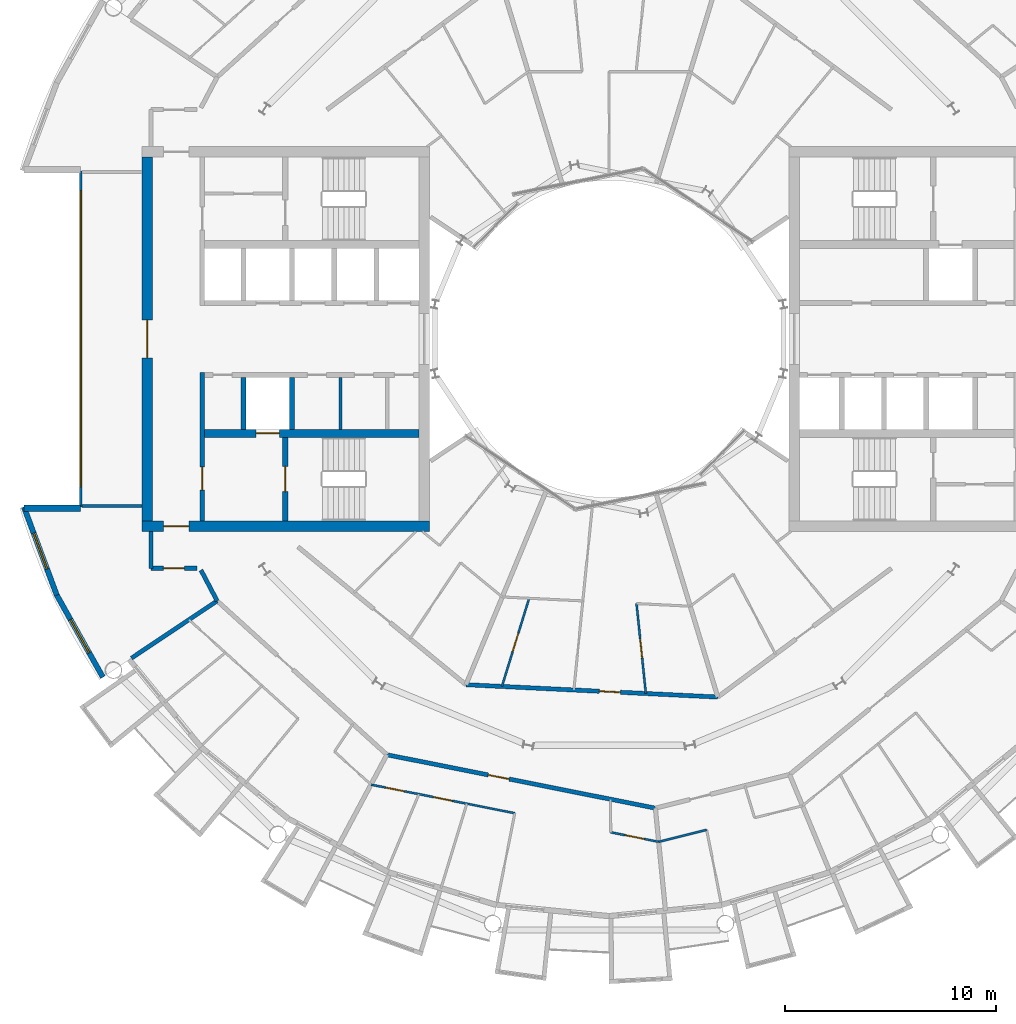
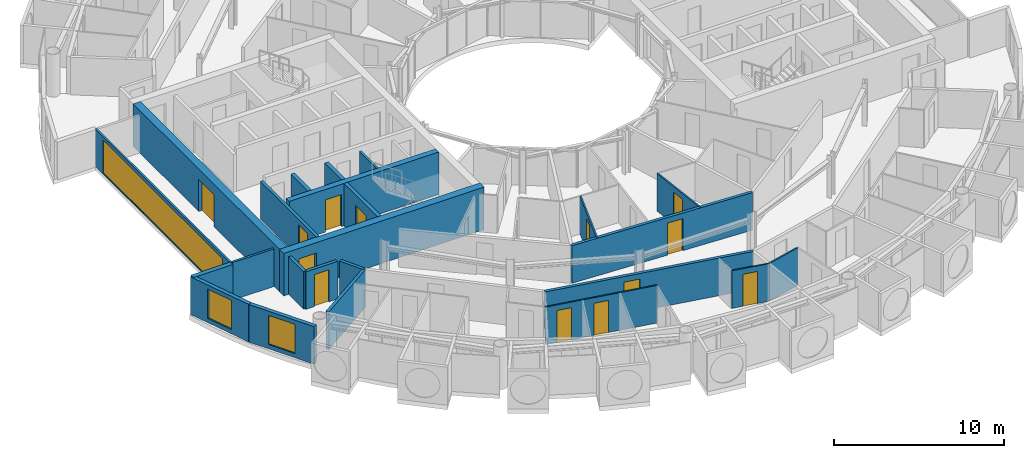
# One storey, part 15 of 27: 24 walls, 13 doors, 3 windows, 16 openings.
"""IFC4 building model written with IfcOpenShell, lengths in metres."""

from ifc_helpers import new_model, si_unit, direction, frame, frame_2d, origin, place, context, subcontext, project, spatial, rectangle, extrude, material, layer, layer_set, type_object, element, fill, save


model = new_model("IFC4")

# Units and contexts
model_context = context("Model", 3, precision=1e-05, world=origin(), true_north=direction((0.0, 1.0)))
body_context = subcontext(model_context, "Body", "Model", "MODEL_VIEW")
ifc_project = project(units=[si_unit("LENGTHUNIT", "METRE"), si_unit("AREAUNIT", "SQUARE_METRE"), si_unit("VOLUMEUNIT", "CUBIC_METRE"), si_unit("PLANEANGLEUNIT", "RADIAN"), si_unit("MASSUNIT", "GRAM", prefix="KILO")], contexts=[model_context])

# Site, building, storey
site_placement = place(None, origin())
site = spatial("IfcSite", under=ifc_project, at=site_placement, CompositionType="ELEMENT")
building_placement = place(site_placement, origin())
building = spatial("IfcBuilding", under=site, at=building_placement, Name="Maasbend Ring Residences", CompositionType="ELEMENT")
storey_placement = place(building_placement, frame((0.0, 0.0, 151.300048828125)))
storey = spatial("IfcBuildingStorey", under=building, at=storey_placement, Name="L43", CompositionType="ELEMENT", Elevation=151.300048828125)

# Wall, opening, door
ifc_material_1 = material(Name="Concrete C60/75", Category="concrete")
ifc_layer_1 = layer(ifc_material_1, 0.25)
ifc_layer_set_1 = layer_set([ifc_layer_1], Name="Concrete C60/75")
wall_type_1 = type_object("IfcWallType", Name="CORE WALL 250 C60/75", PredefinedType="SHEAR", material=ifc_layer_set_1)
wall_1_placement = place(storey_placement, frame((-15.324951171875, -4.64990234375, 0.0), z_axis=(0.0, 0.0, 1.0), x_axis=(0.0, -1.0, 0.0)))
wall_1 = element("IfcWall", 1, at=wall_1_placement, inside=storey, type_object=wall_type_1, Name="L43 core W wall STEN", PredefinedType="SHEAR", context=body_context, shape_type="SweptSolid", body=[
    extrude(rectangle(XDim=3.9501953125, YDim=0.25, at=frame_2d((1.97509765625, 0.0))), origin(), (0.0, 0.0, 1.0), 3.050048828125),
])
opening_1_placement = place(wall_1_placement, frame((1.375, 0.0, 0.0)))
opening_1 = element("IfcOpeningElement", 2, at=opening_1_placement, cuts=wall_1, Name="Opening D-W4311", PredefinedType="OPENING", context=body_context, shape_type="SweptSolid", body=[
    extrude(rectangle(XDim=1.199951171875, YDim=2.300048828125, at=frame_2d((0.60009765625, 1.14990234375))), frame((0.0, 0.135009765625, 0.0), z_axis=(0.0, -1.0, 0.0), x_axis=(1.0, 0.0, 0.0)), (0.0, 0.0, 1.0), 0.27001953125),
])
ifc_material_2 = material(Name="Steel, powder coated", Category="steel")
door_type_1 = type_object("IfcDoorType", Name="STAIR DOOR 1200 X 2300 FD60", OperationType="NOTDEFINED", PredefinedType="DOOR", material=ifc_material_2)
door_1_placement = place(opening_1_placement, origin())
door_1 = element("IfcDoor", 3, at=door_1_placement, inside=storey, type_object=door_type_1, Name="Stair door ST-W L43", OperationType="SINGLE_SWING_LEFT", OverallHeight=2.300048828125, OverallWidth=1.199951171875, PredefinedType="DOOR", context=body_context, shape_type="SweptSolid", body=[
    extrude(rectangle(XDim=1.199951171875, YDim=2.300048828125, at=frame_2d((0.60009765625, 1.14990234375))), frame((0.0, 0.02490234375, 0.0), z_axis=(0.0, -1.0, 0.0), x_axis=(1.0, 0.0, 0.0)), (0.0, 0.0, 1.0), 0.050048828125),
])
fill(opening_1, door_1)

ifc_material_3 = material(Name="Concrete C60/75", Category="concrete")
ifc_layer_2 = layer(ifc_material_3, 0.375)
ifc_layer_set_2 = layer_set([ifc_layer_2], Name="Concrete C60/75")
wall_type_2 = type_object("IfcWallType", Name="CORE WALL 375 C60/75", PredefinedType="SHEAR", material=ifc_layer_set_2)
wall_2_placement = place(storey_placement, frame((-9.0, -4.46240234375, 0.0), z_axis=(0.0, 0.0, 1.0), x_axis=(-1.0, 0.0, 0.0)))
wall_2 = element("IfcWall", 4, at=wall_2_placement, inside=storey, type_object=wall_type_2, Name="L43 core W wall BN", PredefinedType="SHEAR", context=body_context, shape_type="SweptSolid", body=[
    extrude(rectangle(XDim=10.14990234375, YDim=0.375, at=frame_2d((5.074951171875, 0.0))), origin(), (0.0, 0.0, 1.0), 3.050048828125),
])
opening_2_placement = place(wall_2_placement, frame((6.60009765625, 0.0, 0.0)))
opening_2 = element("IfcOpeningElement", 5, at=opening_2_placement, cuts=wall_2, Name="Opening LD-W4301", PredefinedType="OPENING", context=body_context, shape_type="SweptSolid", body=[
    extrude(rectangle(XDim=1.10009765625, YDim=2.300048828125, at=frame_2d((0.550048828125, 1.14990234375))), frame((0.0, 0.197509765625, 0.0), z_axis=(0.0, -1.0, 0.0), x_axis=(1.0, 0.0, 0.0)), (0.0, 0.0, 1.0), 0.39501953125),
])
ifc_material_4 = material(Name="Stainless steel 316", Category="steel")
door_type_2 = type_object("IfcDoorType", Name="LANDING DOOR 1100 X 2300 FD60", OperationType="DOUBLE_DOOR_SLIDING", PredefinedType="DOOR", material=ifc_material_4)
door_2_placement = place(opening_2_placement, origin())
door_2 = element("IfcDoor", 6, at=door_2_placement, inside=storey, type_object=door_type_2, Name="Landing door FF-W L43", OperationType="DOUBLE_DOOR_SLIDING", OverallHeight=2.300048828125, OverallWidth=1.10009765625, PredefinedType="DOOR", context=body_context, shape_type="SweptSolid", body=[
    extrude(rectangle(XDim=1.10009765625, YDim=2.300048828125, at=frame_2d((0.550048828125, 1.14990234375))), frame((0.0, 0.02490234375, 0.0), z_axis=(0.0, -1.0, 0.0), x_axis=(1.0, 0.0, 0.0)), (0.0, 0.0, 1.0), 0.050048828125),
])
fill(opening_2, door_2)

ifc_material_5 = material(Name="Concrete C60/75", Category="concrete")
ifc_layer_3 = layer(ifc_material_5, 0.5)
ifc_layer_set_3 = layer_set([ifc_layer_3], Name="Concrete C60/75")
wall_type_3 = type_object("IfcWallType", Name="CORE WALL 500 C60/75", PredefinedType="SHEAR", material=ifc_layer_set_3)
wall_3_placement = place(storey_placement, frame((-22.10009765625, -8.85009765625, 0.0), z_axis=(0.0, 0.0, 1.0), x_axis=(1.0, 0.0, 0.0)))
wall_3 = element("IfcWall", 7, at=wall_3_placement, inside=storey, type_object=wall_type_3, Name="L43 core W wall PN", PredefinedType="SHEAR", context=body_context, shape_type="SweptSolid", body=[
    extrude(rectangle(XDim=13.60009765625, YDim=0.5, at=frame_2d((6.800048828125, 0.0))), origin(), (0.0, 0.0, 1.0), 3.050048828125),
])
opening_3_placement = place(wall_3_placement, frame((1.02490234375, 0.0, 0.0)))
opening_3 = element("IfcOpeningElement", 8, at=opening_3_placement, cuts=wall_3, Name="Opening D-W4315", PredefinedType="OPENING", context=body_context, shape_type="SweptSolid", body=[
    extrude(rectangle(XDim=1.199951171875, YDim=2.300048828125, at=frame_2d((0.60009765625, 1.14990234375))), frame((0.0, 0.260009765625, 0.0), z_axis=(0.0, -1.0, 0.0), x_axis=(1.0, 0.0, 0.0)), (0.0, 0.0, 1.0), 0.52001953125),
])
ifc_material_6 = material(Name="Steel, powder coated", Category="steel")
door_type_3 = type_object("IfcDoorType", Name="CORRIDOR DOOR 1200 X 2300 FD30S", OperationType="NOTDEFINED", PredefinedType="DOOR", material=ifc_material_6)
door_3_placement = place(opening_3_placement, origin())
door_3 = element("IfcDoor", 9, at=door_3_placement, inside=storey, type_object=door_type_3, Name="Corridor door L43", OperationType="SINGLE_SWING_RIGHT", OverallHeight=2.300048828125, OverallWidth=1.199951171875, PredefinedType="DOOR", context=body_context, shape_type="SweptSolid", body=[
    extrude(rectangle(XDim=1.199951171875, YDim=2.300048828125, at=frame_2d((0.60009765625, 1.14990234375))), frame((0.0, 0.02490234375, 0.0), z_axis=(0.0, -1.0, 0.0), x_axis=(1.0, 0.0, 0.0)), (0.0, 0.0, 1.0), 0.050048828125),
])
fill(opening_3, door_3)

wall_4_placement = place(storey_placement, frame((-21.85009765625, -8.60009765625, 0.0), z_axis=(0.0, 0.0, 1.0), x_axis=(0.0, 1.0, 0.0)))
wall_4 = element("IfcWall", 10, at=wall_4_placement, inside=storey, type_object=wall_type_3, Name="L43 core W wall POUT", PredefinedType="SHEAR", context=body_context, shape_type="SweptSolid", body=[
    extrude(rectangle(XDim=17.2001953125, YDim=0.5, at=frame_2d((8.60009765625, 0.0))), origin(), (0.0, 0.0, 1.0), 3.050048828125),
])
opening_4_placement = place(wall_4_placement, frame((7.699951171875, 0.0, 0.0)))
opening_4 = element("IfcOpeningElement", 11, at=opening_4_placement, cuts=wall_4, Name="Opening D-W4317", PredefinedType="OPENING", context=body_context, shape_type="SweptSolid", body=[
    extrude(rectangle(XDim=1.800048828125, YDim=2.300048828125, at=frame_2d((0.89990234375, 1.14990234375))), frame((0.0, 0.260009765625, 0.0), z_axis=(0.0, -1.0, 0.0), x_axis=(1.0, 0.0, 0.0)), (0.0, 0.0, 1.0), 0.52001953125),
])
ifc_material_7 = material(Name="Aluminium frame, clear glass", Category="aluminium")
door_type_4 = type_object("IfcDoorType", Name="ENTRANCE DOOR 1800 X 2300 FD60", OperationType="NOTDEFINED", PredefinedType="DOOR", material=ifc_material_7)
door_4_placement = place(opening_4_placement, origin())
door_4 = element("IfcDoor", 12, at=door_4_placement, inside=storey, type_object=door_type_4, Name="Lobby glazed door L43", OperationType="SINGLE_SWING_LEFT", OverallHeight=2.300048828125, OverallWidth=1.800048828125, PredefinedType="DOOR", context=body_context, shape_type="SweptSolid", body=[
    extrude(rectangle(XDim=1.800048828125, YDim=2.300048828125, at=frame_2d((0.89990234375, 1.14990234375))), frame((0.0, 0.02490234375, 0.0), z_axis=(0.0, -1.0, 0.0), x_axis=(1.0, 0.0, 0.0)), (0.0, 0.0, 1.0), 0.050048828125),
])
fill(opening_4, door_4)

# Wall
ifc_material_8 = material(Name="Concrete C30/37", Category="concrete")
ifc_layer_4 = layer(ifc_material_8, 0.199951171875)
ifc_layer_set_4 = layer_set([ifc_layer_4], Name="Concrete C30/37")
wall_type_4 = type_object("IfcWallType", Name="CORRIDOR WALL 200 CONCRETE", PredefinedType="PARTITIONING", material=ifc_layer_set_4)
wall_5_placement = place(storey_placement, frame((-19.306884765625, -10.93505859375, 0.0), z_axis=(0.0, 0.0, 1.0), x_axis=(0.465605550524, -0.884992356646, 0.0)))
element("IfcWall", 13, at=wall_5_placement, inside=storey, type_object=wall_type_4, Name="U-L43-w009", PredefinedType="PARTITIONING", context=body_context, shape_type="SweptSolid", body=[
    extrude(rectangle(XDim=1.642822265625, YDim=0.199951171875, at=frame_2d((0.8212890625, 0.0))), origin(), (0.0, 0.0, 1.0), 2.699951171875),
])

# Wall, opening, door
wall_6_placement = place(storey_placement, frame((-10.511962890625, -19.6669921875, 0.0), z_axis=(0.0, 0.0, 1.0), x_axis=(0.980780341017, -0.195115152343, 0.0)))
wall_6 = element("IfcWall", 14, at=wall_6_placement, inside=storey, type_object=wall_type_4, Name="U-L43-w015", PredefinedType="PARTITIONING", context=body_context, shape_type="SweptSolid", body=[
    extrude(rectangle(XDim=12.94677734375, YDim=0.199951171875, at=frame_2d((6.473388671875, 0.0))), origin(), (0.0, 0.0, 1.0), 2.699951171875),
])
opening_5_placement = place(wall_6_placement, frame((4.89404296875, 0.0, 0.0)))
opening_5 = element("IfcOpeningElement", 15, at=opening_5_placement, cuts=wall_6, Name="Opening D-4338", PredefinedType="OPENING", context=body_context, shape_type="SweptSolid", body=[
    extrude(rectangle(XDim=1.0, YDim=2.300048828125, at=frame_2d((0.5, 1.14990234375))), frame((0.0, 0.10986328125, 0.0), z_axis=(0.0, -1.0, 0.0), x_axis=(1.0, 0.0, 0.0)), (0.0, 0.0, 1.0), 0.219970703125),
])
ifc_material_9 = material(Name="Timber, fire-rated, painted", Category="wood")
door_type_5 = type_object("IfcDoorType", Name="FLAT ENTRANCE DOOR 1000 X 2300 FIRE-RATED", OperationType="NOTDEFINED", PredefinedType="DOOR", material=ifc_material_9)
door_5_placement = place(opening_5_placement, origin())
door_5 = element("IfcDoor", 16, at=door_5_placement, inside=storey, type_object=door_type_5, Name="D-4338", OperationType="SINGLE_SWING_LEFT", OverallHeight=2.300048828125, OverallWidth=1.0, PredefinedType="DOOR", context=body_context, shape_type="SweptSolid", body=[
    extrude(rectangle(XDim=1.0, YDim=2.300048828125, at=frame_2d((0.5, 1.14990234375))), frame((0.0, 0.02490234375, 0.0), z_axis=(0.0, -1.0, 0.0), x_axis=(1.0, 0.0, 0.0)), (0.0, 0.0, 1.0), 0.050048828125),
])
fill(opening_5, door_5)

wall_7_placement = place(storey_placement, frame((-6.778076171875, -16.35302734375, 0.0), z_axis=(0.0, 0.0, 1.0), x_axis=(0.998797244, -0.049031269395, 0.0)))
wall_7 = element("IfcWall", 17, at=wall_7_placement, inside=storey, type_object=wall_type_4, Name="U-L43-w018", PredefinedType="PARTITIONING", context=body_context, shape_type="SweptSolid", body=[
    extrude(rectangle(XDim=11.930419921875, YDim=0.199951171875, at=frame_2d((5.96533203125, 0.0))), origin(), (0.0, 0.0, 1.0), 2.699951171875),
])
opening_6_placement = place(wall_7_placement, frame((6.321044921875, 0.0, 0.0)))
opening_6 = element("IfcOpeningElement", 18, at=opening_6_placement, cuts=wall_7, Name="Opening D-4355", PredefinedType="OPENING", context=body_context, shape_type="SweptSolid", body=[
    extrude(rectangle(XDim=1.0, YDim=2.300048828125, at=frame_2d((0.5, 1.14990234375))), frame((0.0, 0.10986328125, 0.0), z_axis=(0.0, -1.0, 0.0), x_axis=(1.0, 0.0, 0.0)), (0.0, 0.0, 1.0), 0.219970703125),
])
door_6_placement = place(opening_6_placement, origin())
door_6 = element("IfcDoor", 19, at=door_6_placement, inside=storey, type_object=door_type_5, Name="D-4355", OperationType="SINGLE_SWING_RIGHT", OverallHeight=2.300048828125, OverallWidth=1.0, PredefinedType="DOOR", context=body_context, shape_type="SweptSolid", body=[
    extrude(rectangle(XDim=1.0, YDim=2.300048828125, at=frame_2d((0.5, 1.14990234375))), frame((0.0, 0.02490234375, 0.0), z_axis=(0.0, -1.0, 0.0), x_axis=(1.0, 0.0, 0.0)), (0.0, 0.0, 1.0), 0.050048828125),
])
fill(opening_6, door_6)

wall_8_placement = place(storey_placement, frame((-21.675048828125, -10.85009765625, 0.0), z_axis=(0.0, 0.0, 1.0), x_axis=(1.0, 0.0, 0.0)))
wall_8 = element("IfcWall", 20, at=wall_8_placement, inside=storey, type_object=wall_type_4, Name="U-L43-w026", PredefinedType="PARTITIONING", context=body_context, shape_type="SweptSolid", body=[
    extrude(rectangle(XDim=2.171142578125, YDim=0.199951171875, at=frame_2d((1.08544921875, 0.0))), origin(), (0.0, 0.0, 1.0), 2.699951171875),
])
opening_7_placement = place(wall_8_placement, frame((0.5849609375, 0.0, 0.0)))
opening_7 = element("IfcOpeningElement", 21, at=opening_7_placement, cuts=wall_8, Name="Opening D-4364", PredefinedType="OPENING", context=body_context, shape_type="SweptSolid", body=[
    extrude(rectangle(XDim=1.0, YDim=2.300048828125, at=frame_2d((0.5, 1.14990234375))), frame((0.0, 0.10986328125, 0.0), z_axis=(0.0, -1.0, 0.0), x_axis=(1.0, 0.0, 0.0)), (0.0, 0.0, 1.0), 0.219970703125),
])
ifc_material_10 = material(Name="Timber, painted", Category="wood")
door_type_6 = type_object("IfcDoorType", Name="ROOM DOOR 1000 X 2300", OperationType="NOTDEFINED", PredefinedType="DOOR", material=ifc_material_10)
door_7_placement = place(opening_7_placement, origin())
door_7 = element("IfcDoor", 22, at=door_7_placement, inside=storey, type_object=door_type_6, Name="D-4364", OperationType="SINGLE_SWING_LEFT", OverallHeight=2.300048828125, OverallWidth=1.0, PredefinedType="DOOR", context=body_context, shape_type="SweptSolid", body=[
    extrude(rectangle(XDim=1.0, YDim=2.300048828125, at=frame_2d((0.5, 1.14990234375))), frame((0.0, 0.02490234375, 0.0), z_axis=(0.0, -1.0, 0.0), x_axis=(1.0, 0.0, 0.0)), (0.0, 0.0, 1.0), 0.050048828125),
])
fill(opening_7, door_7)

# Wall
wall_9_placement = place(storey_placement, frame((-21.675048828125, -10.85009765625, 0.0), z_axis=(0.0, 0.0, 1.0), x_axis=(0.0, 1.0, 0.0)))
element("IfcWall", 23, at=wall_9_placement, inside=storey, type_object=wall_type_4, Name="U-L43-w106", PredefinedType="PARTITIONING", context=body_context, shape_type="SweptSolid", body=[
    extrude(rectangle(XDim=1.75, YDim=0.199951171875, at=frame_2d((0.875, 0.0))), origin(), (0.0, 0.0, 1.0), 2.699951171875),
])

# Wall, opening, window
ifc_material_11 = material(Name="Aluminium clad insulated panel", Category="aluminium")
ifc_layer_5 = layer(ifc_material_11, 0.25)
ifc_layer_set_5 = layer_set([ifc_layer_5], Name="EW-HORN")
wall_type_5 = type_object("IfcWallType", Name="EW-HORN", PredefinedType="SOLIDWALL", material=ifc_layer_set_5)
wall_10_placement = place(storey_placement, frame((-27.681884765625, -7.945068359375, 0.0), z_axis=(0.0, 0.0, 1.0), x_axis=(0.349247811493, -0.937030397675, 0.0)))
wall_10 = element("IfcWall", 24, at=wall_10_placement, inside=storey, type_object=wall_type_5, Name="Horn wall 3.1", PredefinedType="SOLIDWALL", context=body_context, shape_type="SweptSolid", body=[
    extrude(rectangle(XDim=4.4521484375, YDim=0.25, at=frame_2d((2.22607421875, 0.0))), origin(), (0.0, 0.0, 1.0), 2.699951171875),
])
opening_8_placement = place(wall_10_placement, frame((1.32666015625, 0.0, 0.300048828125)))
opening_8 = element("IfcOpeningElement", 25, at=opening_8_placement, cuts=wall_10, Name="Opening W-BX", PredefinedType="OPENING", context=body_context, shape_type="SweptSolid", body=[
    extrude(rectangle(XDim=1.800048828125, YDim=2.10009765625, at=frame_2d((0.89990234375, 1.050048828125))), frame((0.0, 0.135009765625, 0.0), z_axis=(0.0, -1.0, 0.0), x_axis=(1.0, 0.0, 0.0)), (0.0, 0.0, 1.0), 0.27001953125),
])
ifc_material_12 = material(Name="Aluminium and clear glass", Category="aluminium")
window_type_1 = type_object("IfcWindowType", Name="W-BX", PartitioningType="DOUBLE_PANEL_VERTICAL", PredefinedType="WINDOW", material=ifc_material_12)
window_1_placement = place(opening_8_placement, origin())
window_1 = element("IfcWindow", 26, at=window_1_placement, inside=storey, type_object=window_type_1, Name="Horn window 3.1", OverallHeight=2.10009765625, OverallWidth=1.800048828125, PartitioningType="SINGLE_PANEL", PredefinedType="WINDOW", context=body_context, shape_type="SweptSolid", body=[
    extrude(rectangle(XDim=1.800048828125, YDim=2.10009765625, at=frame_2d((0.89990234375, 1.050048828125))), frame((0.0, 0.030029296875, 0.0), z_axis=(0.0, -1.0, 0.0), x_axis=(1.0, 0.0, 0.0)), (0.0, 0.0, 1.0), 0.06005859375),
])
fill(opening_8, window_1)

wall_11_placement = place(storey_placement, frame((-26.126953125, -12.116943359375, 0.0), z_axis=(0.0, 0.0, 1.0), x_axis=(0.489696356642, -0.871893042919, 0.0)))
wall_11 = element("IfcWall", 27, at=wall_11_placement, inside=storey, type_object=wall_type_5, Name="Horn wall 3.2", PredefinedType="SOLIDWALL", context=body_context, shape_type="SweptSolid", body=[
    extrude(rectangle(XDim=4.45361328125, YDim=0.25, at=frame_2d((2.226806640625, 0.0))), origin(), (0.0, 0.0, 1.0), 2.699951171875),
])
opening_9_placement = place(wall_11_placement, frame((1.32666015625, 0.0, 0.300048828125)))
opening_9 = element("IfcOpeningElement", 28, at=opening_9_placement, cuts=wall_11, Name="Opening W-BX", PredefinedType="OPENING", context=body_context, shape_type="SweptSolid", body=[
    extrude(rectangle(XDim=1.800048828125, YDim=2.10009765625, at=frame_2d((0.89990234375, 1.050048828125))), frame((0.0, 0.135009765625, 0.0), z_axis=(0.0, -1.0, 0.0), x_axis=(1.0, 0.0, 0.0)), (0.0, 0.0, 1.0), 0.27001953125),
])
window_2_placement = place(opening_9_placement, origin())
window_2 = element("IfcWindow", 29, at=window_2_placement, inside=storey, type_object=window_type_1, Name="Horn window 3.2", OverallHeight=2.10009765625, OverallWidth=1.800048828125, PartitioningType="SINGLE_PANEL", PredefinedType="WINDOW", context=body_context, shape_type="SweptSolid", body=[
    extrude(rectangle(XDim=1.800048828125, YDim=2.10009765625, at=frame_2d((0.89990234375, 1.050048828125))), frame((0.0, 0.030029296875, 0.0), z_axis=(0.0, -1.0, 0.0), x_axis=(1.0, 0.0, 0.0)), (0.0, 0.0, 1.0), 0.06005859375),
])
fill(opening_9, window_2)

# Wall
ifc_material_13 = material(Name="Aluminium clad insulated panel", Category="aluminium")
ifc_layer_6 = layer(ifc_material_13, 0.300048828125)
ifc_layer_set_6 = layer_set([ifc_layer_6], Name="EW-RET")
wall_type_6 = type_object("IfcWallType", Name="EW-RET", PredefinedType="SOLIDWALL", material=ifc_layer_set_6)
wall_12_placement = place(storey_placement, frame((-25.0, -8.0, 0.0), z_axis=(0.0, 0.0, 1.0), x_axis=(-1.0, 0.0, 0.0)))
element("IfcWall", 30, at=wall_12_placement, inside=storey, type_object=wall_type_6, Name="Notch return wall west south", PredefinedType="SOLIDWALL", context=body_context, shape_type="SweptSolid", body=[
    extrude(rectangle(XDim=2.6669921875, YDim=0.300048828125, at=frame_2d((1.33349609375, 0.0))), origin(), (0.0, 0.0, 1.0), 2.699951171875),
])

# Wall, opening, window
ifc_material_14 = material(Name="Aluminium frame and clear glass", Category="aluminium")
ifc_layer_7 = layer(ifc_material_14, 0.1201171875)
ifc_layer_set_7 = layer_set([ifc_layer_7], Name="GLAZED SCREEN WALL 120 EI 60")
wall_type_7 = type_object("IfcWallType", Name="GLAZED SCREEN WALL 120 EI 60", PredefinedType="PARTITIONING", material=ifc_layer_set_7)
wall_13_placement = place(storey_placement, frame((-25.0, 7.949951171875, 0.0), z_axis=(0.0, 0.0, 1.0), x_axis=(0.0, -1.0, 0.0)))
wall_13 = element("IfcWall", 31, at=wall_13_placement, inside=storey, type_object=wall_type_7, Name="L43 core W wall FACE", PredefinedType="PARTITIONING", context=body_context, shape_type="SweptSolid", body=[
    extrude(rectangle(XDim=15.89990234375, YDim=0.1201171875, at=frame_2d((7.949951171875, 0.0))), origin(), (0.0, 0.0, 1.0), 2.699951171875),
])
opening_10_placement = place(wall_13_placement, frame((0.949951171875, 0.0, 0.10009765625)))
opening_10 = element("IfcOpeningElement", 32, at=opening_10_placement, cuts=wall_13, Name="Opening W-W4302", PredefinedType="OPENING", context=body_context, shape_type="SweptSolid", body=[
    extrude(rectangle(XDim=14.0, YDim=2.35009765625, at=frame_2d((7.0, 1.175048828125))), frame((0.0, 0.070068359375, 0.0), z_axis=(0.0, -1.0, 0.0), x_axis=(1.0, 0.0, 0.0)), (0.0, 0.0, 1.0), 0.14013671875),
])
ifc_material_15 = material(Name="Aluminium frame and clear glass", Category="aluminium")
window_type_2 = type_object("IfcWindowType", Name="FIXED WINDOW 14000 X 2350", PartitioningType="SINGLE_PANEL", PredefinedType="WINDOW", material=ifc_material_15)
window_3_placement = place(opening_10_placement, origin())
window_3 = element("IfcWindow", 33, at=window_3_placement, inside=storey, type_object=window_type_2, Name="Lobby window L43", OverallHeight=2.35009765625, OverallWidth=14.0, PartitioningType="SINGLE_PANEL", PredefinedType="WINDOW", context=body_context, shape_type="SweptSolid", body=[
    extrude(rectangle(XDim=14.0, YDim=2.35009765625, at=frame_2d((7.0, 1.175048828125))), frame((0.0, 0.030029296875, 0.0), z_axis=(0.0, -1.0, 0.0), x_axis=(1.0, 0.0, 0.0)), (0.0, 0.0, 1.0), 0.06005859375),
])
fill(opening_10, window_3)

# Wall
ifc_material_16 = material(Name="Gypsum board on steel studs", Category="steel")
ifc_layer_8 = layer(ifc_material_16, 0.10009765625)
ifc_layer_set_8 = layer_set([ifc_layer_8], Name="PARTITION 100 GYPSUM")
wall_type_8 = type_object("IfcWallType", Name="PARTITION 100 GYPSUM", PredefinedType="PARTITIONING", material=ifc_layer_set_8)
wall_14_placement = place(storey_placement, frame((2.341064453125, -23.784912109375, 0.0), z_axis=(0.0, 0.0, 1.0), x_axis=(0.970124059177, 0.242609376996, 0.0)))
element("IfcWall", 34, at=wall_14_placement, inside=storey, type_object=wall_type_8, Name="U-L43-w001", PredefinedType="PARTITIONING", context=body_context, shape_type="SweptSolid", body=[
    extrude(rectangle(XDim=2.336669921875, YDim=0.10009765625, at=frame_2d((1.16845703125, 0.0))), origin(), (0.0, 0.0, 1.0), 2.699951171875),
])

# Wall, openings, doors
wall_15_placement = place(storey_placement, frame((-11.263916015625, -21.080078125, 0.0), z_axis=(0.0, 0.0, 1.0), x_axis=(0.980795304313, -0.195039921651, 0.0)))
wall_15 = element("IfcWall", 35, at=wall_15_placement, inside=storey, type_object=wall_type_8, Name="U-L43-w005", PredefinedType="PARTITIONING", context=body_context, shape_type="SweptSolid", body=[
    extrude(rectangle(XDim=6.937255859375, YDim=0.10009765625, at=frame_2d((3.46875, 0.0))), origin(), (0.0, 0.0, 1.0), 2.699951171875),
])
opening_11_placement = place(wall_15_placement, frame((3.01611328125, 0.0, 0.0)))
opening_11 = element("IfcOpeningElement", 36, at=opening_11_placement, cuts=wall_15, Name="Opening D-4341", PredefinedType="OPENING", context=body_context, shape_type="SweptSolid", body=[
    extrude(rectangle(XDim=0.89990234375, YDim=2.300048828125, at=frame_2d((0.449951171875, 1.14990234375))), frame((0.0, 0.06005859375, 0.0), z_axis=(0.0, -1.0, 0.0), x_axis=(1.0, 0.0, 0.0)), (0.0, 0.0, 1.0), 0.1201171875),
])
opening_12_placement = place(wall_15_placement, frame((0.7041015625, 0.0, 0.0)))
opening_12 = element("IfcOpeningElement", 37, at=opening_12_placement, cuts=wall_15, Name="Opening D-4342", PredefinedType="OPENING", context=body_context, shape_type="SweptSolid", body=[
    extrude(rectangle(XDim=0.89990234375, YDim=2.300048828125, at=frame_2d((0.449951171875, 1.14990234375))), frame((0.0, 0.06005859375, 0.0), z_axis=(0.0, -1.0, 0.0), x_axis=(1.0, 0.0, 0.0)), (0.0, 0.0, 1.0), 0.1201171875),
])
ifc_material_17 = material(Name="Timber, painted", Category="wood")
door_type_7 = type_object("IfcDoorType", Name="INTERNAL DOOR 900 X 2300", OperationType="NOTDEFINED", PredefinedType="DOOR", material=ifc_material_17)
door_8_placement = place(opening_11_placement, origin())
door_8 = element("IfcDoor", 38, at=door_8_placement, inside=storey, type_object=door_type_7, Name="D-4341", OperationType="SINGLE_SWING_LEFT", OverallHeight=2.300048828125, OverallWidth=0.89990234375, PredefinedType="DOOR", context=body_context, shape_type="SweptSolid", body=[
    extrude(rectangle(XDim=0.89990234375, YDim=2.300048828125, at=frame_2d((0.449951171875, 1.14990234375))), frame((0.0, 0.02490234375, 0.0), z_axis=(0.0, -1.0, 0.0), x_axis=(1.0, 0.0, 0.0)), (0.0, 0.0, 1.0), 0.050048828125),
])
fill(opening_11, door_8)
door_9_placement = place(opening_12_placement, origin())
door_9 = element("IfcDoor", 39, at=door_9_placement, inside=storey, type_object=door_type_7, Name="D-4342", OperationType="SINGLE_SWING_LEFT", OverallHeight=2.300048828125, OverallWidth=0.89990234375, PredefinedType="DOOR", context=body_context, shape_type="SweptSolid", body=[
    extrude(rectangle(XDim=0.89990234375, YDim=2.300048828125, at=frame_2d((0.449951171875, 1.14990234375))), frame((0.0, 0.02490234375, 0.0), z_axis=(0.0, -1.0, 0.0), x_axis=(1.0, 0.0, 0.0)), (0.0, 0.0, 1.0), 0.050048828125),
])
fill(opening_12, door_9)

# Wall, opening, door
wall_16_placement = place(storey_placement, frame((0.073974609375, -23.333984375, 0.0), z_axis=(0.0, 0.0, 1.0), x_axis=(0.98081942231, -0.194918600496, 0.0)))
wall_16 = element("IfcWall", 40, at=wall_16_placement, inside=storey, type_object=wall_type_8, Name="U-L43-w006", PredefinedType="PARTITIONING", context=body_context, shape_type="SweptSolid", body=[
    extrude(rectangle(XDim=2.3134765625, YDim=0.10009765625, at=frame_2d((1.15673828125, 0.0))), origin(), (0.0, 0.0, 1.0), 2.699951171875),
])
opening_13_placement = place(wall_16_placement, frame((0.70703125, 0.0, 0.0)))
opening_13 = element("IfcOpeningElement", 41, at=opening_13_placement, cuts=wall_16, Name="Opening D-4339", PredefinedType="OPENING", context=body_context, shape_type="SweptSolid", body=[
    extrude(rectangle(XDim=0.89990234375, YDim=2.300048828125, at=frame_2d((0.449951171875, 1.14990234375))), frame((0.0, 0.06005859375, 0.0), z_axis=(0.0, -1.0, 0.0), x_axis=(1.0, 0.0, 0.0)), (0.0, 0.0, 1.0), 0.1201171875),
])
door_10_placement = place(opening_13_placement, origin())
door_10 = element("IfcDoor", 42, at=door_10_placement, inside=storey, type_object=door_type_7, Name="D-4339", OperationType="SINGLE_SWING_RIGHT", OverallHeight=2.300048828125, OverallWidth=0.89990234375, PredefinedType="DOOR", context=body_context, shape_type="SweptSolid", body=[
    extrude(rectangle(XDim=0.89990234375, YDim=2.300048828125, at=frame_2d((0.449951171875, 1.14990234375))), frame((0.0, 0.02490234375, 0.0), z_axis=(0.0, -1.0, 0.0), x_axis=(1.0, 0.0, 0.0)), (0.0, 0.0, 1.0), 0.050048828125),
])
fill(opening_13, door_10)

wall_17_placement = place(storey_placement, frame((-5.072021484375, -16.43603515625, 0.0), z_axis=(0.0, 0.0, 1.0), x_axis=(0.294934866503, 0.955517359612, 0.0)))
wall_17 = element("IfcWall", 43, at=wall_17_placement, inside=storey, type_object=wall_type_8, Name="U-L43-w056", PredefinedType="PARTITIONING", context=body_context, shape_type="SweptSolid", body=[
    extrude(rectangle(XDim=4.364013671875, YDim=0.10009765625, at=frame_2d((2.18212890625, 0.0))), origin(), (0.0, 0.0, 1.0), 2.699951171875),
])
opening_14_placement = place(wall_17_placement, frame((1.73193359375, 0.0, 0.0)))
opening_14 = element("IfcOpeningElement", 44, at=opening_14_placement, cuts=wall_17, Name="Opening D-4358", PredefinedType="OPENING", context=body_context, shape_type="SweptSolid", body=[
    extrude(rectangle(XDim=0.89990234375, YDim=2.300048828125, at=frame_2d((0.449951171875, 1.14990234375))), frame((0.0, 0.06005859375, 0.0), z_axis=(0.0, -1.0, 0.0), x_axis=(1.0, 0.0, 0.0)), (0.0, 0.0, 1.0), 0.1201171875),
])
door_11_placement = place(opening_14_placement, origin())
door_11 = element("IfcDoor", 45, at=door_11_placement, inside=storey, type_object=door_type_7, Name="D-4358", OperationType="SINGLE_SWING_RIGHT", OverallHeight=2.300048828125, OverallWidth=0.89990234375, PredefinedType="DOOR", context=body_context, shape_type="SweptSolid", body=[
    extrude(rectangle(XDim=0.89990234375, YDim=2.300048828125, at=frame_2d((0.449951171875, 1.14990234375))), frame((0.0, 0.02490234375, 0.0), z_axis=(0.0, -1.0, 0.0), x_axis=(1.0, 0.0, 0.0)), (0.0, 0.0, 1.0), 0.050048828125),
])
fill(opening_14, door_11)

wall_18_placement = place(storey_placement, frame((1.294921875, -12.514892578125, 0.0), z_axis=(0.0, 0.0, 1.0), x_axis=(0.102875790791, -0.994694210131, 0.0)))
wall_18 = element("IfcWall", 46, at=wall_18_placement, inside=storey, type_object=wall_type_8, Name="U-L43-w064", PredefinedType="PARTITIONING", context=body_context, shape_type="SweptSolid", body=[
    extrude(rectangle(XDim=4.27880859375, YDim=0.10009765625, at=frame_2d((2.139404296875, 0.0))), origin(), (0.0, 0.0, 1.0), 2.699951171875),
])
opening_15_placement = place(wall_18_placement, frame((1.68896484375, 0.0, 0.0)))
opening_15 = element("IfcOpeningElement", 47, at=opening_15_placement, cuts=wall_18, Name="Opening D-4356", PredefinedType="OPENING", context=body_context, shape_type="SweptSolid", body=[
    extrude(rectangle(XDim=0.89990234375, YDim=2.300048828125, at=frame_2d((0.449951171875, 1.14990234375))), frame((0.0, 0.06005859375, 0.0), z_axis=(0.0, -1.0, 0.0), x_axis=(1.0, 0.0, 0.0)), (0.0, 0.0, 1.0), 0.1201171875),
])
door_12_placement = place(opening_15_placement, origin())
door_12 = element("IfcDoor", 48, at=door_12_placement, inside=storey, type_object=door_type_7, Name="D-4356", OperationType="SINGLE_SWING_RIGHT", OverallHeight=2.300048828125, OverallWidth=0.89990234375, PredefinedType="DOOR", context=body_context, shape_type="SweptSolid", body=[
    extrude(rectangle(XDim=0.89990234375, YDim=2.300048828125, at=frame_2d((0.449951171875, 1.14990234375))), frame((0.0, 0.02490234375, 0.0), z_axis=(0.0, -1.0, 0.0), x_axis=(1.0, 0.0, 0.0)), (0.0, 0.0, 1.0), 0.050048828125),
])
fill(opening_15, door_12)

# Walls
ifc_material_18 = material(Name="Gypsum board on steel studs", Category="steel")
ifc_layer_9 = layer(ifc_material_18, 0.14990234375)
ifc_layer_set_9 = layer_set([ifc_layer_9], Name="PARTITION 150 EI 60")
wall_type_9 = type_object("IfcWallType", Name="PARTITION 150 EI 60", PredefinedType="PARTITIONING", material=ifc_layer_set_9)
wall_19_placement = place(storey_placement, frame((-12.699951171875, -1.824951171875, 0.0), z_axis=(0.0, 0.0, 1.0), x_axis=(0.0, -1.0, 0.0)))
element("IfcWall", 49, at=wall_19_placement, inside=storey, type_object=wall_type_9, Name="L43 core W wall PRN1270", PredefinedType="PARTITIONING", context=body_context, shape_type="SweptSolid", body=[
    extrude(rectangle(XDim=2.449951171875, YDim=0.14990234375, at=frame_2d((1.22509765625, 0.0))), origin(), (0.0, 0.0, 1.0), 2.699951171875),
])
wall_20_placement = place(storey_placement, frame((-22.10009765625, -7.89990234375, 0.0), z_axis=(0.0, 0.0, 1.0), x_axis=(-1.0, 0.0, 0.0)))
element("IfcWall", 50, at=wall_20_placement, inside=storey, type_object=wall_type_9, Name="L43 core W wall CITN", PredefinedType="PARTITIONING", context=body_context, shape_type="SweptSolid", body=[
    extrude(rectangle(XDim=2.83984375, YDim=0.14990234375, at=frame_2d((1.419921875, 0.0))), origin(), (0.0, 0.0, 1.0), 2.699951171875),
])
ifc_material_19 = material(Name="Concrete C30/37", Category="concrete")
ifc_layer_10 = layer(ifc_material_19, 0.199951171875)
ifc_layer_set_10 = layer_set([ifc_layer_10], Name="Concrete C30/37")
wall_type_10 = type_object("IfcWallType", Name="PARTY WALL 200 CONCRETE", PredefinedType="PARTITIONING", material=ifc_layer_set_10)
wall_21_placement = place(storey_placement, frame((-22.594970703125, -15.097900390625, 0.0), z_axis=(0.0, 0.0, 1.0), x_axis=(0.831387096605, 0.55569370664, 0.0)))
element("IfcWall", 51, at=wall_21_placement, inside=storey, type_object=wall_type_10, Name="U-L43-w034", PredefinedType="PARTITIONING", context=body_context, shape_type="SweptSolid", body=[
    extrude(rectangle(XDim=4.875, YDim=0.199951171875, at=frame_2d((2.4375, 0.0))), origin(), (0.0, 0.0, 1.0), 2.699951171875),
])

# Wall, opening, door
ifc_material_20 = material(Name="Concrete C30/37", Category="concrete")
ifc_layer_11 = layer(ifc_material_20, 0.199951171875)
ifc_layer_set_11 = layer_set([ifc_layer_11], Name="Concrete C30/37")
wall_type_11 = type_object("IfcWallType", Name="SHAFT WALL 200 EI 120", PredefinedType="SOLIDWALL", material=ifc_layer_set_11)
wall_22_placement = place(storey_placement, frame((-19.25, -1.574951171875, 0.0), z_axis=(0.0, 0.0, 1.0), x_axis=(0.0, -1.0, 0.0)))
wall_22 = element("IfcWall", 52, at=wall_22_placement, inside=storey, type_object=wall_type_11, Name="L43 core W wall ENDN", PredefinedType="SOLIDWALL", context=body_context, shape_type="SweptSolid", body=[
    extrude(rectangle(XDim=7.025146484375, YDim=0.199951171875, at=frame_2d((3.5126953125, 0.0))), origin(), (0.0, 0.0, 1.0), 2.699951171875),
])
opening_16_placement = place(wall_22_placement, frame((4.47509765625, 0.0, 0.0)))
opening_16 = element("IfcOpeningElement", 53, at=opening_16_placement, cuts=wall_22, Name="Opening D-W4313", PredefinedType="OPENING", context=body_context, shape_type="SweptSolid", body=[
    extrude(rectangle(XDim=1.10009765625, YDim=2.300048828125, at=frame_2d((0.550048828125, 1.14990234375))), frame((0.0, 0.10986328125, 0.0), z_axis=(0.0, -1.0, 0.0), x_axis=(1.0, 0.0, 0.0)), (0.0, 0.0, 1.0), 0.219970703125),
])
ifc_material_21 = material(Name="Steel, powder coated", Category="steel")
door_type_8 = type_object("IfcDoorType", Name="LOBBY DOOR 1100 X 2300 FD60", OperationType="NOTDEFINED", PredefinedType="DOOR", material=ifc_material_21)
door_13_placement = place(opening_16_placement, origin())
door_13 = element("IfcDoor", 54, at=door_13_placement, inside=storey, type_object=door_type_8, Name="Lobby door L43", OperationType="SINGLE_SWING_LEFT", OverallHeight=2.300048828125, OverallWidth=1.10009765625, PredefinedType="DOOR", context=body_context, shape_type="SweptSolid", body=[
    extrude(rectangle(XDim=1.10009765625, YDim=2.300048828125, at=frame_2d((0.550048828125, 1.14990234375))), frame((0.0, 0.02490234375, 0.0), z_axis=(0.0, -1.0, 0.0), x_axis=(1.0, 0.0, 0.0)), (0.0, 0.0, 1.0), 0.050048828125),
])
fill(opening_16, door_13)

# Walls
ifc_material_22 = material(Name="Concrete C30/37", Category="concrete")
ifc_layer_12 = layer(ifc_material_22, 0.25)
ifc_layer_set_12 = layer_set([ifc_layer_12], Name="Concrete C30/37")
wall_type_12 = type_object("IfcWallType", Name="SHAFT WALL 250 EI 120", PredefinedType="SOLIDWALL", material=ifc_layer_set_12)
for number, where, z_axis, x_axis, name in (
    (55, (-15.0, -1.824951171875, 0.0), (0.0, 0.0, 1.0), (0.0, -1.0, 0.0), "L43 core W wall D150N"),
    (56, (-17.300048828125, -1.824951171875, 0.0), (0.0, 0.0, 1.0), (0.0, -1.0, 0.0), "L43 core W wall D173N"),
):
    element("IfcWall", number, at=place(storey_placement, frame(where, z_axis=z_axis, x_axis=x_axis)), inside=storey, type_object=wall_type_12, Name=name, PredefinedType="SOLIDWALL", context=body_context, shape_type="SweptSolid", body=[
        extrude(rectangle(XDim=2.449951171875, YDim=0.25, at=frame_2d((1.22509765625, 0.0))), origin(), (0.0, 0.0, 1.0), 2.699951171875),
    ])

save(model, "model.ifc")
